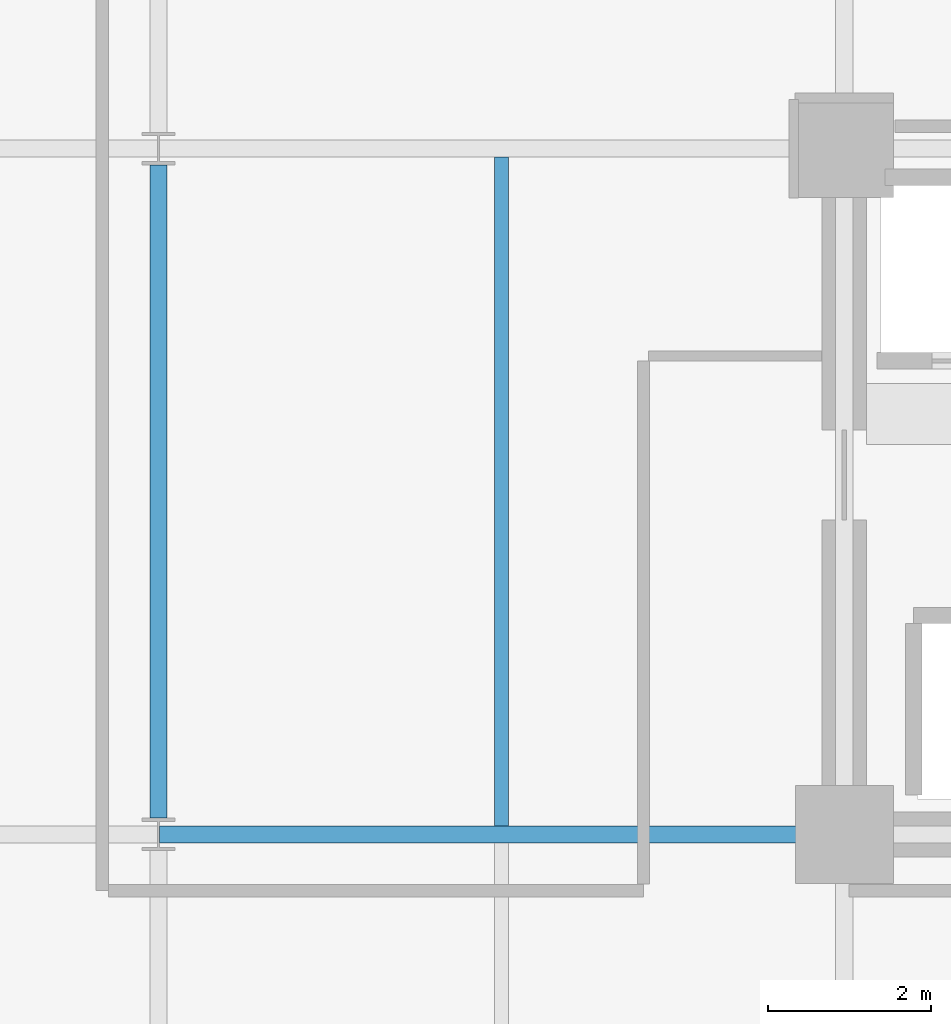
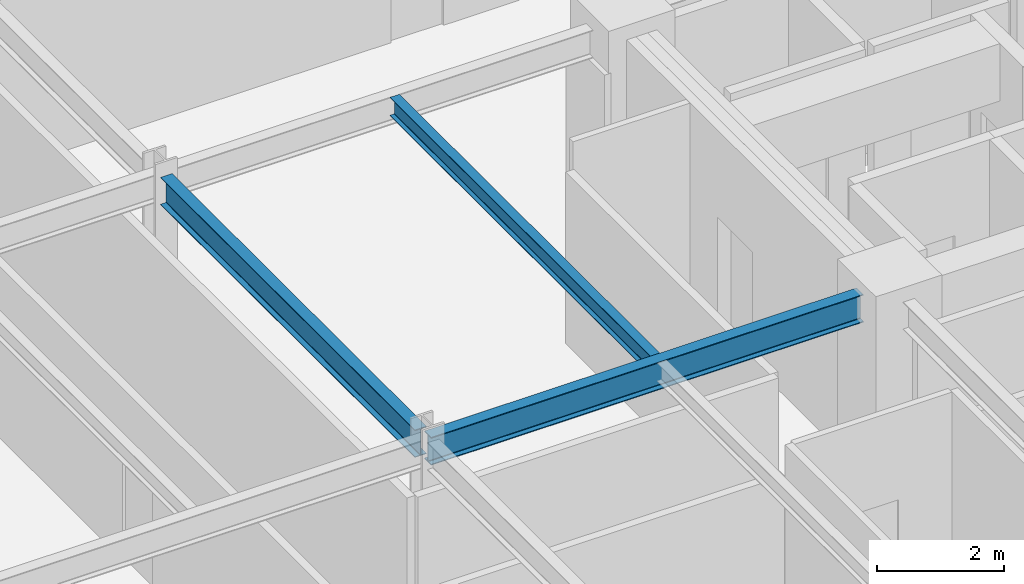
# One storey, part 5 of 29: 3 beams.
"""IFC4 building model written with IfcOpenShell, lengths in metres."""

import ifcopenshell
import ifcopenshell.guid

model = None  # the IFC model being written
_history = None  # IfcOwnerHistory: only IFC2X3 demands one
_inside = {}  # id of a spatial element -> (the spatial element, [elements in it])
_under = {}  # id of a project, library or spatial element -> (it, [spatial elements below it])
_declared = {}  # id of a project -> (the project, [libraries it declares])
_typed = {}  # id of a type object -> (the type object, [elements of that type])
_made_of = {}  # id of a material, layer set ... -> (it, [elements and type objects made of it])


def new_model(schema):
    """Start an empty IFC model of exactly this schema.

    Asked for "IFC4X3", IfcOpenShell would pick the latest addendum, in which some entities
    have other attributes; the version numbers below select the first issue.
    IFC2X3 requires an IfcOwnerHistory on every rooted entity: one is made here for all.
    """
    global model, _history
    if schema == "IFC4X3":
        model = ifcopenshell.file(schema_version=(4, 3, 0, 0))
    else:
        model = ifcopenshell.file(schema=schema)
    _inside.clear()
    _under.clear()
    _declared.clear()
    _typed.clear()
    _made_of.clear()
    _history = None
    if model.schema == "IFC2X3":
        org = make("IfcOrganization", Name="unknown")
        user = make(
            "IfcPersonAndOrganization",
            ThePerson=make("IfcPerson", FamilyName="unknown"),
            TheOrganization=org,
        )
        app = make(
            "IfcApplication",
            ApplicationDeveloper=org,
            Version="unknown",
            ApplicationFullName="unknown",
            ApplicationIdentifier="unknown",
        )
        _history = make(
            "IfcOwnerHistory",
            OwningUser=user,
            OwningApplication=app,
            ChangeAction="ADDED",
            CreationDate=0,
        )
    return model


def make(cls, **values):
    """One entity of the class cls with the attributes given. An attribute that is None is left unset."""
    return model.create_entity(
        cls, **{name: value for name, value in values.items() if value is not None}
    )


def rooted(cls, **values):
    """An entity with a GlobalId (a new one), such as an element, a storey or a relation."""
    return make(cls, GlobalId=ifcopenshell.guid.new(), OwnerHistory=_history, **values)


def si_unit(unit_type, name, prefix=None):
    """IfcSIUnit, for example si_unit("LENGTHUNIT", "METRE", prefix="MILLI")."""
    return make("IfcSIUnit", UnitType=unit_type, Prefix=prefix, Name=name)


def assignment(units):
    """IfcUnitAssignment: the units of a project."""
    return None if units is None else make("IfcUnitAssignment", Units=units)


def point(xyz):
    """IfcCartesianPoint."""
    return None if xyz is None else make("IfcCartesianPoint", Coordinates=xyz)


def direction(xyz):
    """IfcDirection."""
    return None if xyz is None else make("IfcDirection", DirectionRatios=xyz)


def frame(location, z_axis=None, x_axis=None):
    """IfcAxis2Placement3D, a coordinate frame: its origin and axes. An axis left out is left unset."""
    return make(
        "IfcAxis2Placement3D",
        Location=point(location),
        Axis=direction(z_axis),
        RefDirection=direction(x_axis),
    )


def frame_2d(location, x_axis=None):
    """IfcAxis2Placement2D, a coordinate frame in the plane: its origin and x axis."""
    return make(
        "IfcAxis2Placement2D", Location=point(location), RefDirection=direction(x_axis)
    )


def origin():
    """The frame at (0, 0, 0) with its axes left unset."""
    return frame((0.0, 0.0, 0.0))


def origin_2d():
    """The frame at (0, 0) in the plane with its x axis left unset."""
    return frame_2d((0.0, 0.0))


def place(relative_to, where):
    """IfcLocalPlacement: puts the frame where relative to a parent placement (None: the world)."""
    return make(
        "IfcLocalPlacement", PlacementRelTo=relative_to, RelativePlacement=where
    )


def context(
    kind, dimensions, precision=None, world=None, true_north=None, identifier=None
):
    """IfcGeometricRepresentationContext, for example the 3D "Model" context."""
    return make(
        "IfcGeometricRepresentationContext",
        ContextIdentifier=identifier,
        ContextType=kind,
        CoordinateSpaceDimension=dimensions,
        Precision=precision,
        WorldCoordinateSystem=world,
        TrueNorth=true_north,
    )


def subcontext(parent, identifier, kind, view, scale=None):
    """IfcGeometricRepresentationSubContext, for example "Body" below "Model"."""
    return make(
        "IfcGeometricRepresentationSubContext",
        ContextIdentifier=identifier,
        ContextType=kind,
        ParentContext=parent,
        TargetScale=scale,
        TargetView=view,
    )


def project(units=None, contexts=None):
    """IfcProject with its units and contexts."""
    return rooted(
        "IfcProject",
        Name="project",
        RepresentationContexts=contexts,
        UnitsInContext=assignment(units),
    )


def spatial(cls, under=None, at=None, **own):
    """A site, building, storey or space (cls), placed at a placement, below another one or the project."""
    s = rooted(cls, ObjectPlacement=at, **own)
    if under is not None:
        _under.setdefault(under.id(), (under, []))[1].append(s)
    return s


def profile(cls, at=None, kind="AREA", **sizes):
    """A parametric profile (cls). Its sizes go by their IFC names, for example OverallWidth=200.0."""
    return make(cls, ProfileType=kind, Position=at, **sizes)


def i_section(**sizes):
    """IfcIShapeProfileDef."""
    return profile("IfcIShapeProfileDef", **sizes)


def extrude(swept, where, along, depth):
    """IfcExtrudedAreaSolid: the profile swept, set in the frame where, extruded along a direction by depth."""
    return make(
        "IfcExtrudedAreaSolid",
        SweptArea=swept,
        Position=where,
        ExtrudedDirection=direction(along),
        Depth=depth,
    )


def shape(context_of_items, identifier, shape_type, items):
    """IfcShapeRepresentation: the items that make up one representation, for example the "Body"."""
    return make(
        "IfcShapeRepresentation",
        ContextOfItems=context_of_items,
        RepresentationIdentifier=identifier,
        RepresentationType=shape_type,
        Items=items,
    )


def material(Name=None, Category=None):
    """IfcMaterial."""
    return make("IfcMaterial", Name=Name, Category=Category)


def material_profile(
    of_material, cross_section, Name=None, Category=None, Priority=None
):
    """IfcMaterialProfile: a cross section and its material."""
    return make(
        "IfcMaterialProfile",
        Name=Name,
        Material=of_material,
        Profile=cross_section,
        Priority=Priority,
        Category=Category,
    )


def profile_set(profiles, Name=None, composite=None):
    """IfcMaterialProfileSet."""
    return make(
        "IfcMaterialProfileSet",
        Name=Name,
        MaterialProfiles=profiles,
        CompositeProfile=composite,
    )


def made_of(thing, what):
    """Note that an element or type object is made of a material, layer set ...; save() writes the relation."""
    if what is not None:
        _made_of.setdefault(what.id(), (what, []))[1].append(thing)
    return thing


def type_object(cls, material=None, **own):
    """A type object (cls), such as IfcWallType, which elements share."""
    return made_of(rooted(cls, **own), material)


def element(
    cls,
    number,
    at=None,
    inside=None,
    cuts=None,
    type_object=None,
    material=None,
    context=None,
    identifier="Body",
    shape_type=None,
    held_by="IfcProductDefinitionShape",
    body=None,
    shapes=None,
    **own,
):
    """One element of the class cls, such as IfcWall. Its Tag is "e" and its number.

    at: its placement. inside: the storey or other place that contains it. cuts: it is an
    opening in that element (IfcRelVoidsElement). A single representation is given by context,
    identifier, shape_type and body (its items); several are given by shapes. held_by: the class
    of the entity that holds the representations. save() writes the other relations.
    """
    e = rooted(cls, Tag="e%d" % number, ObjectPlacement=at, **own)
    if body is not None:
        shapes = [shape(context, identifier, shape_type, body)]
    if shapes is not None:
        e.Representation = make(held_by, Representations=shapes)
    if inside is not None:
        _inside.setdefault(inside.id(), (inside, []))[1].append(e)
    if cuts is not None:
        rooted(
            "IfcRelVoidsElement", RelatingBuildingElement=cuts, RelatedOpeningElement=e
        )
    if type_object is not None:
        _typed.setdefault(type_object.id(), (type_object, []))[1].append(e)
    return made_of(e, material)


def aggregate(whole, parts):
    """IfcRelAggregates: a whole, such as a stair, and the parts it consists of."""
    return rooted("IfcRelAggregates", RelatingObject=whole, RelatedObjects=parts)


def save(model, path):
    """Write the relations noted so far, then the file.

    IfcRelAggregates (storeys below a building ...), IfcRelContainedInSpatialStructure (elements
    in a storey), IfcRelDefinesByType, IfcRelAssociatesMaterial and IfcRelDeclares: one each for
    every whole, place, type object, material and project.
    """
    for whole, parts in _under.values():
        aggregate(whole, parts)
    for where, things in _inside.values():
        rooted(
            "IfcRelContainedInSpatialStructure",
            RelatedElements=things,
            RelatingStructure=where,
        )
    for kind, things in _typed.values():
        rooted("IfcRelDefinesByType", RelatedObjects=things, RelatingType=kind)
    for what, things in _made_of.values():
        rooted("IfcRelAssociatesMaterial", RelatedObjects=things, RelatingMaterial=what)
    for by, libraries in _declared.values():
        rooted("IfcRelDeclares", RelatingContext=by, RelatedDefinitions=libraries)
    model.write(path)


model = new_model("IFC4")

# Units and contexts
model_context = context("Model", 3, precision=1e-05, world=origin(), true_north=direction((0.0, 1.0)))
body_context = subcontext(model_context, "Body", "Model", "MODEL_VIEW")
ifc_project = project(units=[si_unit("LENGTHUNIT", "METRE"), si_unit("AREAUNIT", "SQUARE_METRE"), si_unit("VOLUMEUNIT", "CUBIC_METRE"), si_unit("PLANEANGLEUNIT", "RADIAN"), si_unit("MASSUNIT", "GRAM", prefix="KILO")], contexts=[model_context])

# Site, building, storey
site_placement = place(None, origin())
site = spatial("IfcSite", under=ifc_project, at=site_placement, CompositionType="ELEMENT")
building_placement = place(site_placement, origin())
building = spatial("IfcBuilding", under=site, at=building_placement, Name="Nerrivon Quay Data Exchange", CompositionType="ELEMENT")
storey_placement = place(building_placement, frame((0.0, 0.0, 121.300048828125)))
storey = spatial("IfcBuildingStorey", under=building, at=storey_placement, Name="L28", CompositionType="ELEMENT", Elevation=121.300048828125)

# Beams
ifc_material = material(Name="Steel Grade 350", Category="steel")
ifc_material_profile_1 = material_profile(ifc_material, i_section(OverallWidth=0.208984375, OverallDepth=0.532958984375, WebThickness=0.01025390625, FlangeThickness=0.015625, FilletRadius=0.013916015625, at=origin_2d()), Name="530UB92.4")
ifc_profile_set_1 = profile_set([ifc_material_profile_1], Name="Steel Grade 350")
beam_type_1 = type_object("IfcBeamType", Name="BM-G3-530UB92", PredefinedType="BEAM", material=ifc_profile_set_1)
beam_1_placement = place(storey_placement, frame((8.41259765625, 8.39990234375, 3.558349609375), z_axis=(1.0, 0.0, 0.0), x_axis=(0.0, 1.0, 0.0)))
element("IfcBeam", 1, at=beam_1_placement, inside=storey, type_object=beam_type_1, Name="L28 EW Girder Y=8.4 (8.4..16.8)", PredefinedType="BEAM", context=body_context, shape_type="SweptSolid", body=[
    extrude(i_section(OverallWidth=0.208984375, OverallDepth=0.532958984375, WebThickness=0.01025390625, FlangeThickness=0.015625, FilletRadius=0.013916015625, at=origin_2d()), origin(), (0.0, 0.0, 1.0), 7.847412109375),
])
ifc_material_profile_2 = material_profile(ifc_material, i_section(OverallWidth=0.208984375, OverallDepth=0.528076171875, WebThickness=0.009521484375, FlangeThickness=0.01318359375, FilletRadius=0.013916015625, at=origin_2d()), Name="530UB82.0")
ifc_profile_set_2 = profile_set([ifc_material_profile_2], Name="Steel Grade 350")
beam_type_2 = type_object("IfcBeamType", Name="BM-G4-530UB82", PredefinedType="BEAM", material=ifc_profile_set_2)
beam_2_placement = place(storey_placement, frame((8.39990234375, 8.60009765625, 3.56103515625), z_axis=(0.0, 1.0, 0.0), x_axis=(-1.0, 0.0, 0.0)))
element("IfcBeam", 2, at=beam_2_placement, inside=storey, type_object=beam_type_2, Name="L28 NS Girder X=8.4 (8.4..16.8)", PredefinedType="BEAM", context=body_context, shape_type="SweptSolid", body=[
    extrude(i_section(OverallWidth=0.208984375, OverallDepth=0.528076171875, WebThickness=0.009521484375, FlangeThickness=0.01318359375, FilletRadius=0.013916015625, at=origin_2d()), origin(), (0.0, 0.0, 1.0), 8.0),
])
ifc_material_profile_3 = material_profile(ifc_material, i_section(OverallWidth=0.1708984375, OverallDepth=0.35595703125, WebThickness=0.00732421875, FlangeThickness=0.011474609375, FilletRadius=0.011474609375, at=origin_2d()), Name="360UB50.7")
ifc_profile_set_3 = profile_set([ifc_material_profile_3], Name="Steel Grade 350")
beam_type_3 = type_object("IfcBeamType", Name="BM-J4-360UB51", PredefinedType="JOIST", material=ifc_profile_set_3)
beam_3_placement = place(storey_placement, frame((12.60009765625, 8.50439453125, 3.64697265625), z_axis=(0.0, 1.0, 0.0), x_axis=(-1.0, 0.0, 0.0)))
element("IfcBeam", 3, at=beam_3_placement, inside=storey, type_object=beam_type_3, Name="L28 Secondary Joist X=12.6 (8.4..16.8)", PredefinedType="JOIST", context=body_context, shape_type="SweptSolid", body=[
    extrude(i_section(OverallWidth=0.1708984375, OverallDepth=0.35595703125, WebThickness=0.00732421875, FlangeThickness=0.011474609375, FilletRadius=0.011474609375, at=origin_2d()), origin(), (0.0, 0.0, 1.0), 8.191162109375),
])

save(model, "model.ifc")
